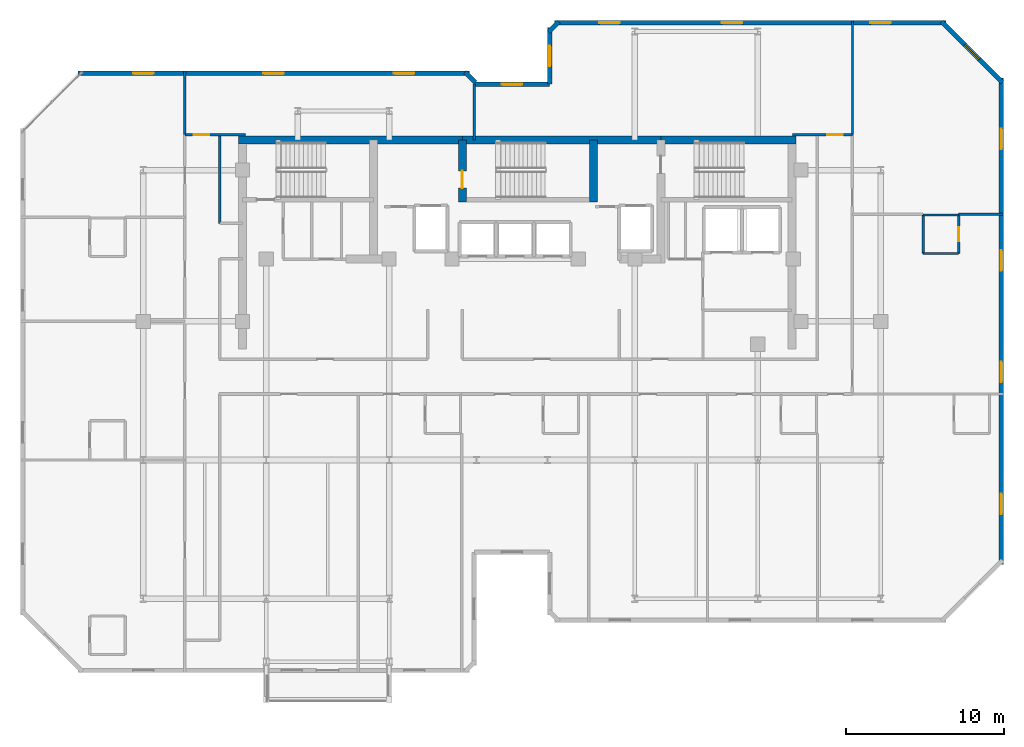
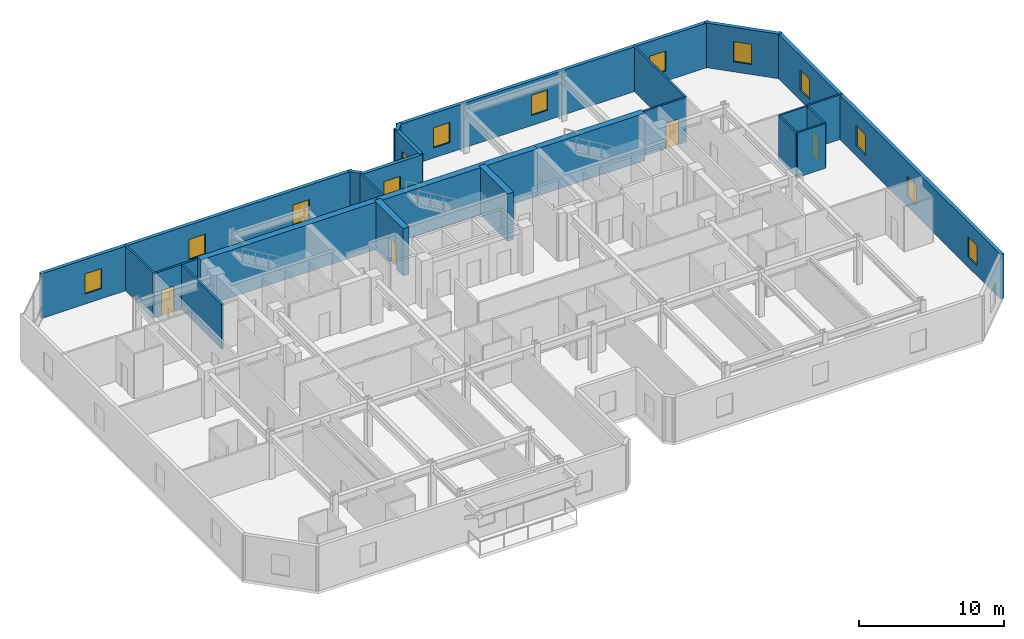
# One storey, part 7 of 10: 24 walls, 13 windows, 4 doors, 17 openings.
"""IFC4 building model written with IfcOpenShell, lengths in metres."""

import ifcopenshell
import ifcopenshell.guid

model = None  # the IFC model being written
_history = None  # IfcOwnerHistory: only IFC2X3 demands one
_inside = {}  # id of a spatial element -> (the spatial element, [elements in it])
_under = {}  # id of a project, library or spatial element -> (it, [spatial elements below it])
_declared = {}  # id of a project -> (the project, [libraries it declares])
_typed = {}  # id of a type object -> (the type object, [elements of that type])
_made_of = {}  # id of a material, layer set ... -> (it, [elements and type objects made of it])


def new_model(schema):
    """Start an empty IFC model of exactly this schema.

    Asked for "IFC4X3", IfcOpenShell would pick the latest addendum, in which some entities
    have other attributes; the version numbers below select the first issue.
    IFC2X3 requires an IfcOwnerHistory on every rooted entity: one is made here for all.
    """
    global model, _history
    if schema == "IFC4X3":
        model = ifcopenshell.file(schema_version=(4, 3, 0, 0))
    else:
        model = ifcopenshell.file(schema=schema)
    _inside.clear()
    _under.clear()
    _declared.clear()
    _typed.clear()
    _made_of.clear()
    _history = None
    if model.schema == "IFC2X3":
        org = make("IfcOrganization", Name="unknown")
        user = make(
            "IfcPersonAndOrganization",
            ThePerson=make("IfcPerson", FamilyName="unknown"),
            TheOrganization=org,
        )
        app = make(
            "IfcApplication",
            ApplicationDeveloper=org,
            Version="unknown",
            ApplicationFullName="unknown",
            ApplicationIdentifier="unknown",
        )
        _history = make(
            "IfcOwnerHistory",
            OwningUser=user,
            OwningApplication=app,
            ChangeAction="ADDED",
            CreationDate=0,
        )
    return model


def make(cls, **values):
    """One entity of the class cls with the attributes given. An attribute that is None is left unset."""
    return model.create_entity(
        cls, **{name: value for name, value in values.items() if value is not None}
    )


def rooted(cls, **values):
    """An entity with a GlobalId (a new one), such as an element, a storey or a relation."""
    return make(cls, GlobalId=ifcopenshell.guid.new(), OwnerHistory=_history, **values)


def si_unit(unit_type, name, prefix=None):
    """IfcSIUnit, for example si_unit("LENGTHUNIT", "METRE", prefix="MILLI")."""
    return make("IfcSIUnit", UnitType=unit_type, Prefix=prefix, Name=name)


def assignment(units):
    """IfcUnitAssignment: the units of a project."""
    return None if units is None else make("IfcUnitAssignment", Units=units)


def point(xyz):
    """IfcCartesianPoint."""
    return None if xyz is None else make("IfcCartesianPoint", Coordinates=xyz)


def direction(xyz):
    """IfcDirection."""
    return None if xyz is None else make("IfcDirection", DirectionRatios=xyz)


def frame(location, z_axis=None, x_axis=None):
    """IfcAxis2Placement3D, a coordinate frame: its origin and axes. An axis left out is left unset."""
    return make(
        "IfcAxis2Placement3D",
        Location=point(location),
        Axis=direction(z_axis),
        RefDirection=direction(x_axis),
    )


def frame_2d(location, x_axis=None):
    """IfcAxis2Placement2D, a coordinate frame in the plane: its origin and x axis."""
    return make(
        "IfcAxis2Placement2D", Location=point(location), RefDirection=direction(x_axis)
    )


def origin():
    """The frame at (0, 0, 0) with its axes left unset."""
    return frame((0.0, 0.0, 0.0))


def place(relative_to, where):
    """IfcLocalPlacement: puts the frame where relative to a parent placement (None: the world)."""
    return make(
        "IfcLocalPlacement", PlacementRelTo=relative_to, RelativePlacement=where
    )


def context(
    kind, dimensions, precision=None, world=None, true_north=None, identifier=None
):
    """IfcGeometricRepresentationContext, for example the 3D "Model" context."""
    return make(
        "IfcGeometricRepresentationContext",
        ContextIdentifier=identifier,
        ContextType=kind,
        CoordinateSpaceDimension=dimensions,
        Precision=precision,
        WorldCoordinateSystem=world,
        TrueNorth=true_north,
    )


def subcontext(parent, identifier, kind, view, scale=None):
    """IfcGeometricRepresentationSubContext, for example "Body" below "Model"."""
    return make(
        "IfcGeometricRepresentationSubContext",
        ContextIdentifier=identifier,
        ContextType=kind,
        ParentContext=parent,
        TargetScale=scale,
        TargetView=view,
    )


def project(units=None, contexts=None):
    """IfcProject with its units and contexts."""
    return rooted(
        "IfcProject",
        Name="project",
        RepresentationContexts=contexts,
        UnitsInContext=assignment(units),
    )


def spatial(cls, under=None, at=None, **own):
    """A site, building, storey or space (cls), placed at a placement, below another one or the project."""
    s = rooted(cls, ObjectPlacement=at, **own)
    if under is not None:
        _under.setdefault(under.id(), (under, []))[1].append(s)
    return s


def profile(cls, at=None, kind="AREA", **sizes):
    """A parametric profile (cls). Its sizes go by their IFC names, for example OverallWidth=200.0."""
    return make(cls, ProfileType=kind, Position=at, **sizes)


def rectangle(**sizes):
    """IfcRectangleProfileDef."""
    return profile("IfcRectangleProfileDef", **sizes)


def extrude(swept, where, along, depth):
    """IfcExtrudedAreaSolid: the profile swept, set in the frame where, extruded along a direction by depth."""
    return make(
        "IfcExtrudedAreaSolid",
        SweptArea=swept,
        Position=where,
        ExtrudedDirection=direction(along),
        Depth=depth,
    )


def shape(context_of_items, identifier, shape_type, items):
    """IfcShapeRepresentation: the items that make up one representation, for example the "Body"."""
    return make(
        "IfcShapeRepresentation",
        ContextOfItems=context_of_items,
        RepresentationIdentifier=identifier,
        RepresentationType=shape_type,
        Items=items,
    )


def material(Name=None, Category=None):
    """IfcMaterial."""
    return make("IfcMaterial", Name=Name, Category=Category)


def layer(
    of_material, thickness, ventilated=None, Name=None, Category=None, Priority=None
):
    """IfcMaterialLayer: one layer of a wall or slab, of a material (None: an air gap)."""
    return make(
        "IfcMaterialLayer",
        Material=of_material,
        LayerThickness=thickness,
        IsVentilated=ventilated,
        Name=Name,
        Category=Category,
        Priority=Priority,
    )


def layer_set(layers, Name=None):
    """IfcMaterialLayerSet."""
    return make("IfcMaterialLayerSet", MaterialLayers=layers, LayerSetName=Name)


def made_of(thing, what):
    """Note that an element or type object is made of a material, layer set ...; save() writes the relation."""
    if what is not None:
        _made_of.setdefault(what.id(), (what, []))[1].append(thing)
    return thing


def type_object(cls, material=None, **own):
    """A type object (cls), such as IfcWallType, which elements share."""
    return made_of(rooted(cls, **own), material)


def element(
    cls,
    number,
    at=None,
    inside=None,
    cuts=None,
    type_object=None,
    material=None,
    context=None,
    identifier="Body",
    shape_type=None,
    held_by="IfcProductDefinitionShape",
    body=None,
    shapes=None,
    **own,
):
    """One element of the class cls, such as IfcWall. Its Tag is "e" and its number.

    at: its placement. inside: the storey or other place that contains it. cuts: it is an
    opening in that element (IfcRelVoidsElement). A single representation is given by context,
    identifier, shape_type and body (its items); several are given by shapes. held_by: the class
    of the entity that holds the representations. save() writes the other relations.
    """
    e = rooted(cls, Tag="e%d" % number, ObjectPlacement=at, **own)
    if body is not None:
        shapes = [shape(context, identifier, shape_type, body)]
    if shapes is not None:
        e.Representation = make(held_by, Representations=shapes)
    if inside is not None:
        _inside.setdefault(inside.id(), (inside, []))[1].append(e)
    if cuts is not None:
        rooted(
            "IfcRelVoidsElement", RelatingBuildingElement=cuts, RelatedOpeningElement=e
        )
    if type_object is not None:
        _typed.setdefault(type_object.id(), (type_object, []))[1].append(e)
    return made_of(e, material)


def fill(opening, filler):
    """IfcRelFillsElement: the door or window that sits in an opening."""
    return rooted(
        "IfcRelFillsElement",
        RelatingOpeningElement=opening,
        RelatedBuildingElement=filler,
    )


def aggregate(whole, parts):
    """IfcRelAggregates: a whole, such as a stair, and the parts it consists of."""
    return rooted("IfcRelAggregates", RelatingObject=whole, RelatedObjects=parts)


def save(model, path):
    """Write the relations noted so far, then the file.

    IfcRelAggregates (storeys below a building ...), IfcRelContainedInSpatialStructure (elements
    in a storey), IfcRelDefinesByType, IfcRelAssociatesMaterial and IfcRelDeclares: one each for
    every whole, place, type object, material and project.
    """
    for whole, parts in _under.values():
        aggregate(whole, parts)
    for where, things in _inside.values():
        rooted(
            "IfcRelContainedInSpatialStructure",
            RelatedElements=things,
            RelatingStructure=where,
        )
    for kind, things in _typed.values():
        rooted("IfcRelDefinesByType", RelatedObjects=things, RelatingType=kind)
    for what, things in _made_of.values():
        rooted("IfcRelAssociatesMaterial", RelatedObjects=things, RelatingMaterial=what)
    for by, libraries in _declared.values():
        rooted("IfcRelDeclares", RelatingContext=by, RelatedDefinitions=libraries)
    model.write(path)


model = new_model("IFC4")

# Units and contexts
model_context = context("Model", 3, precision=1e-05, world=origin(), true_north=direction((0.0, 1.0)))
body_context = subcontext(model_context, "Body", "Model", "MODEL_VIEW")
ifc_project = project(units=[si_unit("LENGTHUNIT", "METRE"), si_unit("AREAUNIT", "SQUARE_METRE"), si_unit("VOLUMEUNIT", "CUBIC_METRE"), si_unit("PLANEANGLEUNIT", "RADIAN"), si_unit("MASSUNIT", "GRAM", prefix="KILO")], contexts=[model_context])

# Site, building, storey
site_placement = place(None, origin())
site = spatial("IfcSite", under=ifc_project, at=site_placement, CompositionType="ELEMENT")
building_placement = place(site_placement, origin())
building = spatial("IfcBuilding", under=site, at=building_placement, Name="Kestravale Grand Hotel", CompositionType="ELEMENT")
storey_placement = place(building_placement, frame((0.0, 0.0, 273.39990234375)))
storey = spatial("IfcBuildingStorey", under=building, at=storey_placement, Name="L68", CompositionType="ELEMENT", Elevation=273.39990234375)

# Walls
ifc_material_1 = material(Name="Concrete f'c 50 MPa", Category="concrete")
ifc_layer_1 = layer(ifc_material_1, 0.5)
ifc_layer_set_1 = layer_set([ifc_layer_1], Name="EW-CORE-500")
wall_type_1 = type_object("IfcWallType", Name="EW-CORE-500", PredefinedType="SHEAR", material=ifc_layer_set_1)
wall_1_placement = place(storey_placement, frame((21.64990234375, 40.320068359375, 0.0), z_axis=(0.0, 0.0, 1.0), x_axis=(1.0, 0.0, 0.0)))
element("IfcWall", 1, at=wall_1_placement, inside=storey, type_object=wall_type_1, Name="L68 core shear wall N1", PredefinedType="SHEAR", context=body_context, shape_type="SweptSolid", body=[
    extrude(rectangle(XDim=14.2001953125, YDim=0.5, at=frame_2d((7.10009765625, 0.0))), origin(), (0.0, 0.0, 1.0), 4.0),
])
wall_2_placement = place(storey_placement, frame((35.85009765625, 40.320068359375, 0.0), z_axis=(0.0, 0.0, 1.0), x_axis=(1.0, 0.0, 0.0)))
element("IfcWall", 2, at=wall_2_placement, inside=storey, type_object=wall_type_1, Name="L68 core shear wall N2", PredefinedType="SHEAR", context=body_context, shape_type="SweptSolid", body=[
    extrude(rectangle(XDim=12.599853515625, YDim=0.5, at=frame_2d((6.2998046875, 0.0))), origin(), (0.0, 0.0, 1.0), 4.0),
])
wall_3_placement = place(storey_placement, frame((48.449951171875, 40.320068359375, 0.0), z_axis=(0.0, 0.0, 1.0), x_axis=(1.0, 0.0, 0.0)))
element("IfcWall", 3, at=wall_3_placement, inside=storey, type_object=wall_type_1, Name="L68 core shear wall N3", PredefinedType="SHEAR", context=body_context, shape_type="SweptSolid", body=[
    extrude(rectangle(XDim=8.570068359375, YDim=0.5, at=frame_2d((4.28515625, 0.0))), origin(), (0.0, 0.0, 1.0), 4.0),
])

# Wall, opening, door
wall_4_placement = place(storey_placement, frame((35.85009765625, 36.3701171875, 0.0), z_axis=(0.0, 0.0, 1.0), x_axis=(0.0, 1.0, 0.0)))
wall_4 = element("IfcWall", 4, at=wall_4_placement, inside=storey, type_object=wall_type_1, Name="L68 core shear wall X2", PredefinedType="SHEAR", context=body_context, shape_type="SweptSolid", body=[
    extrude(rectangle(XDim=3.949951171875, YDim=0.5, at=frame_2d((1.97509765625, 0.0))), origin(), (0.0, 0.0, 1.0), 4.0),
])
opening_1_placement = place(wall_4_placement, frame((0.8798828125, 0.0, 0.0)))
opening_1 = element("IfcOpeningElement", 5, at=opening_1_placement, cuts=wall_4, Name="Opening D-ST-1100", PredefinedType="OPENING", context=body_context, shape_type="SweptSolid", body=[
    extrude(rectangle(XDim=1.10009765625, YDim=2.14990234375, at=frame_2d((0.550048828125, 1.074951171875))), frame((0.0, 0.260009765625, 0.0), z_axis=(0.0, -1.0, 0.0), x_axis=(1.0, 0.0, 0.0)), (0.0, 0.0, 1.0), 0.52001953125),
])
ifc_material_2 = material(Name="Galvanised 90-minute fire-rated steel stair door", Category="steel")
door_type_1 = type_object("IfcDoorType", Name="D-ST-1100", OperationType="NOTDEFINED", PredefinedType="DOOR", material=ifc_material_2)
door_1_placement = place(opening_1_placement, origin())
door_1 = element("IfcDoor", 6, at=door_1_placement, inside=storey, type_object=door_type_1, Name="L68 Stair ST-2 FSAE fire door", OperationType="SINGLE_SWING_RIGHT", OverallHeight=2.14990234375, OverallWidth=1.10009765625, PredefinedType="DOOR", context=body_context, shape_type="SweptSolid", body=[
    extrude(rectangle(XDim=1.10009765625, YDim=2.14990234375, at=frame_2d((0.550048828125, 1.074951171875))), frame((0.0, 0.02490234375, 0.0), z_axis=(0.0, -1.0, 0.0), x_axis=(1.0, 0.0, 0.0)), (0.0, 0.0, 1.0), 0.050048828125),
])
fill(opening_1, door_1)

# Wall
wall_5_placement = place(storey_placement, frame((44.179931640625, 36.3701171875, 0.0), z_axis=(0.0, 0.0, 1.0), x_axis=(0.0, 1.0, 0.0)))
element("IfcWall", 7, at=wall_5_placement, inside=storey, type_object=wall_type_1, Name="L68 core shear wall X3", PredefinedType="SHEAR", context=body_context, shape_type="SweptSolid", body=[
    extrude(rectangle(XDim=3.949951171875, YDim=0.5, at=frame_2d((1.97509765625, 0.0))), origin(), (0.0, 0.0, 1.0), 4.0),
])

# Wall, openings, windows
ifc_material_3 = material(Name="Precast concrete f'c 45 MPa", Category="concrete")
ifc_layer_2 = layer(ifc_material_3, 0.280029296875)
ifc_layer_set_2 = layer_set([ifc_layer_2], Name="EW-PREC-280")
wall_type_2 = type_object("IfcWallType", Name="EW-PREC-280", PredefinedType="SOLIDWALL", material=ifc_layer_set_2)
wall_6_placement = place(storey_placement, frame((70.06005859375, 13.360107421875, 0.0), z_axis=(0.0, 0.0, 1.0), x_axis=(0.0, 1.0, 0.0)))
wall_6 = element("IfcWall", 8, at=wall_6_placement, inside=storey, type_object=wall_type_2, Name="L68 fluted precast facade wall 9", PredefinedType="SOLIDWALL", context=body_context, shape_type="SweptSolid", body=[
    extrude(rectangle(XDim=30.8798828125, YDim=0.280029296875, at=frame_2d((15.43994140625, 0.0))), origin(), (0.0, 0.0, 1.0), 3.760009765625),
])
opening_2_placement = place(wall_6_placement, frame((3.2099609375, 0.0, 0.85009765625)))
opening_2 = element("IfcOpeningElement", 9, at=opening_2_placement, cuts=wall_6, Name="Opening W-GUEST-1300", PredefinedType="OPENING", context=body_context, shape_type="SweptSolid", body=[
    extrude(rectangle(XDim=1.300048828125, YDim=1.699951171875, at=frame_2d((0.64990234375, 0.85009765625))), frame((0.0, 0.14990234375, 0.0), z_axis=(0.0, -1.0, 0.0), x_axis=(1.0, 0.0, 0.0)), (0.0, 0.0, 1.0), 0.300048828125),
])
opening_3_placement = place(wall_6_placement, frame((11.580078125, 0.0, 0.85009765625)))
opening_3 = element("IfcOpeningElement", 10, at=opening_3_placement, cuts=wall_6, Name="Opening W-GUEST-1300", PredefinedType="OPENING", context=body_context, shape_type="SweptSolid", body=[
    extrude(rectangle(XDim=1.300048828125, YDim=1.699951171875, at=frame_2d((0.64990234375, 0.85009765625))), frame((0.0, 0.14990234375, 0.0), z_axis=(0.0, -1.0, 0.0), x_axis=(1.0, 0.0, 0.0)), (0.0, 0.0, 1.0), 0.300048828125),
])
opening_4_placement = place(wall_6_placement, frame((18.64990234375, 0.0, 0.85009765625)))
opening_4 = element("IfcOpeningElement", 11, at=opening_4_placement, cuts=wall_6, Name="Opening W-GUEST-1300", PredefinedType="OPENING", context=body_context, shape_type="SweptSolid", body=[
    extrude(rectangle(XDim=1.300048828125, YDim=1.699951171875, at=frame_2d((0.64990234375, 0.85009765625))), frame((0.0, 0.14990234375, 0.0), z_axis=(0.0, -1.0, 0.0), x_axis=(1.0, 0.0, 0.0)), (0.0, 0.0, 1.0), 0.300048828125),
])
opening_5_placement = place(wall_6_placement, frame((26.3701171875, 0.0, 0.85009765625)))
opening_5 = element("IfcOpeningElement", 12, at=opening_5_placement, cuts=wall_6, Name="Opening W-GUEST-1300", PredefinedType="OPENING", context=body_context, shape_type="SweptSolid", body=[
    extrude(rectangle(XDim=1.300048828125, YDim=1.699951171875, at=frame_2d((0.64990234375, 0.85009765625))), frame((0.0, 0.14990234375, 0.0), z_axis=(0.0, -1.0, 0.0), x_axis=(1.0, 0.0, 0.0)), (0.0, 0.0, 1.0), 0.300048828125),
])
ifc_material_4 = material(Name="Insulated low-E double glazing in aluminium frame", Category="aluminium")
window_type = type_object("IfcWindowType", Name="W-GUEST-1300", PartitioningType="SINGLE_PANEL", PredefinedType="WINDOW", material=ifc_material_4)
window_1_placement = place(opening_2_placement, origin())
window_1 = element("IfcWindow", 13, at=window_1_placement, inside=storey, type_object=window_type, Name="L68 exterior window 9.1", OverallHeight=1.699951171875, OverallWidth=1.300048828125, PartitioningType="SINGLE_PANEL", PredefinedType="WINDOW", context=body_context, shape_type="SweptSolid", body=[
    extrude(rectangle(XDim=1.300048828125, YDim=1.699951171875, at=frame_2d((0.64990234375, 0.85009765625))), frame((0.0, 0.030029296875, 0.0), z_axis=(0.0, -1.0, 0.0), x_axis=(1.0, 0.0, 0.0)), (0.0, 0.0, 1.0), 0.06005859375),
])
fill(opening_2, window_1)
window_2_placement = place(opening_3_placement, origin())
window_2 = element("IfcWindow", 14, at=window_2_placement, inside=storey, type_object=window_type, Name="L68 exterior window 9.2", OverallHeight=1.699951171875, OverallWidth=1.300048828125, PartitioningType="SINGLE_PANEL", PredefinedType="WINDOW", context=body_context, shape_type="SweptSolid", body=[
    extrude(rectangle(XDim=1.300048828125, YDim=1.699951171875, at=frame_2d((0.64990234375, 0.85009765625))), frame((0.0, 0.030029296875, 0.0), z_axis=(0.0, -1.0, 0.0), x_axis=(1.0, 0.0, 0.0)), (0.0, 0.0, 1.0), 0.06005859375),
])
fill(opening_3, window_2)
window_3_placement = place(opening_4_placement, origin())
window_3 = element("IfcWindow", 15, at=window_3_placement, inside=storey, type_object=window_type, Name="L68 exterior window 9.3", OverallHeight=1.699951171875, OverallWidth=1.300048828125, PartitioningType="SINGLE_PANEL", PredefinedType="WINDOW", context=body_context, shape_type="SweptSolid", body=[
    extrude(rectangle(XDim=1.300048828125, YDim=1.699951171875, at=frame_2d((0.64990234375, 0.85009765625))), frame((0.0, 0.030029296875, 0.0), z_axis=(0.0, -1.0, 0.0), x_axis=(1.0, 0.0, 0.0)), (0.0, 0.0, 1.0), 0.06005859375),
])
fill(opening_4, window_3)
window_4_placement = place(opening_5_placement, origin())
window_4 = element("IfcWindow", 16, at=window_4_placement, inside=storey, type_object=window_type, Name="L68 exterior window 9.4", OverallHeight=1.699951171875, OverallWidth=1.300048828125, PartitioningType="SINGLE_PANEL", PredefinedType="WINDOW", context=body_context, shape_type="SweptSolid", body=[
    extrude(rectangle(XDim=1.300048828125, YDim=1.699951171875, at=frame_2d((0.64990234375, 0.85009765625))), frame((0.0, 0.030029296875, 0.0), z_axis=(0.0, -1.0, 0.0), x_axis=(1.0, 0.0, 0.0)), (0.0, 0.0, 1.0), 0.06005859375),
])
fill(opening_5, window_4)

# Wall, opening, window
wall_7_placement = place(storey_placement, frame((70.12939453125, 43.97265625, 0.0), z_axis=(0.0, 0.0, 1.0), x_axis=(-0.707106781187, 0.707106781187, 0.0)))
wall_7 = element("IfcWall", 17, at=wall_7_placement, inside=storey, type_object=wall_type_2, Name="L68 fluted precast facade wall 10", PredefinedType="SOLIDWALL", context=body_context, shape_type="SweptSolid", body=[
    extrude(rectangle(XDim=5.4541015625, YDim=0.280029296875, at=frame_2d((2.72705078125, 0.0))), origin(), (0.0, 0.0, 1.0), 3.760009765625),
])
opening_6_placement = place(wall_7_placement, frame((2.076904296875, 0.0, 0.85009765625)))
opening_6 = element("IfcOpeningElement", 18, at=opening_6_placement, cuts=wall_7, Name="Opening W-GUEST-1300", PredefinedType="OPENING", context=body_context, shape_type="SweptSolid", body=[
    extrude(rectangle(XDim=1.300048828125, YDim=1.699951171875, at=frame_2d((0.64990234375, 0.85009765625))), frame((0.0, 0.14990234375, 0.0), z_axis=(0.0, -1.0, 0.0), x_axis=(1.0, 0.0, 0.0)), (0.0, 0.0, 1.0), 0.300048828125),
])
window_5_placement = place(opening_6_placement, origin())
window_5 = element("IfcWindow", 19, at=window_5_placement, inside=storey, type_object=window_type, Name="L68 exterior window 10.1", OverallHeight=1.699951171875, OverallWidth=1.300048828125, PartitioningType="SINGLE_PANEL", PredefinedType="WINDOW", context=body_context, shape_type="SweptSolid", body=[
    extrude(rectangle(XDim=1.300048828125, YDim=1.699951171875, at=frame_2d((0.64990234375, 0.85009765625))), frame((0.0, 0.030029296875, 0.0), z_axis=(0.0, -1.0, 0.0), x_axis=(1.0, 0.0, 0.0)), (0.0, 0.0, 1.0), 0.06005859375),
])
fill(opening_6, window_5)

# Wall, openings, windows
wall_8_placement = place(storey_placement, frame((66.5400390625, 47.760009765625, 0.0), z_axis=(0.0, 0.0, 1.0), x_axis=(-1.0, 0.0, 0.0)))
wall_8 = element("IfcWall", 20, at=wall_8_placement, inside=storey, type_object=wall_type_2, Name="L68 fluted precast facade wall 11", PredefinedType="SOLIDWALL", context=body_context, shape_type="SweptSolid", body=[
    extrude(rectangle(XDim=24.830078125, YDim=0.280029296875, at=frame_2d((12.4150390625, 0.0))), origin(), (0.0, 0.0, 1.0), 3.760009765625),
])
opening_7_placement = place(wall_8_placement, frame((3.48828125, 0.0, 0.85009765625)))
opening_7 = element("IfcOpeningElement", 21, at=opening_7_placement, cuts=wall_8, Name="Opening W-GUEST-1300", PredefinedType="OPENING", context=body_context, shape_type="SweptSolid", body=[
    extrude(rectangle(XDim=1.300048828125, YDim=1.699951171875, at=frame_2d((0.64990234375, 0.85009765625))), frame((0.0, 0.14990234375, 0.0), z_axis=(0.0, -1.0, 0.0), x_axis=(1.0, 0.0, 0.0)), (0.0, 0.0, 1.0), 0.300048828125),
])
opening_8_placement = place(wall_8_placement, frame((12.9150390625, 0.0, 0.85009765625)))
opening_8 = element("IfcOpeningElement", 22, at=opening_8_placement, cuts=wall_8, Name="Opening W-GUEST-1300", PredefinedType="OPENING", context=body_context, shape_type="SweptSolid", body=[
    extrude(rectangle(XDim=1.300048828125, YDim=1.699951171875, at=frame_2d((0.64990234375, 0.85009765625))), frame((0.0, 0.14990234375, 0.0), z_axis=(0.0, -1.0, 0.0), x_axis=(1.0, 0.0, 0.0)), (0.0, 0.0, 1.0), 0.300048828125),
])
opening_9_placement = place(wall_8_placement, frame((20.691650390625, 0.0, 0.85009765625)))
opening_9 = element("IfcOpeningElement", 23, at=opening_9_placement, cuts=wall_8, Name="Opening W-GUEST-1300", PredefinedType="OPENING", context=body_context, shape_type="SweptSolid", body=[
    extrude(rectangle(XDim=1.300048828125, YDim=1.699951171875, at=frame_2d((0.64990234375, 0.85009765625))), frame((0.0, 0.14990234375, 0.0), z_axis=(0.0, -1.0, 0.0), x_axis=(1.0, 0.0, 0.0)), (0.0, 0.0, 1.0), 0.300048828125),
])
window_6_placement = place(opening_7_placement, origin())
window_6 = element("IfcWindow", 24, at=window_6_placement, inside=storey, type_object=window_type, Name="L68 exterior window 11.1", OverallHeight=1.699951171875, OverallWidth=1.300048828125, PartitioningType="SINGLE_PANEL", PredefinedType="WINDOW", context=body_context, shape_type="SweptSolid", body=[
    extrude(rectangle(XDim=1.300048828125, YDim=1.699951171875, at=frame_2d((0.64990234375, 0.85009765625))), frame((0.0, 0.030029296875, 0.0), z_axis=(0.0, -1.0, 0.0), x_axis=(1.0, 0.0, 0.0)), (0.0, 0.0, 1.0), 0.06005859375),
])
fill(opening_7, window_6)
window_7_placement = place(opening_8_placement, origin())
window_7 = element("IfcWindow", 25, at=window_7_placement, inside=storey, type_object=window_type, Name="L68 exterior window 11.2", OverallHeight=1.699951171875, OverallWidth=1.300048828125, PartitioningType="SINGLE_PANEL", PredefinedType="WINDOW", context=body_context, shape_type="SweptSolid", body=[
    extrude(rectangle(XDim=1.300048828125, YDim=1.699951171875, at=frame_2d((0.64990234375, 0.85009765625))), frame((0.0, 0.030029296875, 0.0), z_axis=(0.0, -1.0, 0.0), x_axis=(1.0, 0.0, 0.0)), (0.0, 0.0, 1.0), 0.06005859375),
])
fill(opening_8, window_7)
window_8_placement = place(opening_9_placement, origin())
window_8 = element("IfcWindow", 26, at=window_8_placement, inside=storey, type_object=window_type, Name="L68 exterior window 11.3", OverallHeight=1.699951171875, OverallWidth=1.300048828125, PartitioningType="SINGLE_PANEL", PredefinedType="WINDOW", context=body_context, shape_type="SweptSolid", body=[
    extrude(rectangle(XDim=1.300048828125, YDim=1.699951171875, at=frame_2d((0.64990234375, 0.85009765625))), frame((0.0, 0.030029296875, 0.0), z_axis=(0.0, -1.0, 0.0), x_axis=(1.0, 0.0, 0.0)), (0.0, 0.0, 1.0), 0.06005859375),
])
fill(opening_9, window_8)

# Wall
wall_9_placement = place(storey_placement, frame((41.977294921875, 47.829345703125, 0.0), z_axis=(0.0, 0.0, 1.0), x_axis=(-0.706975312048, -0.707238225886, 0.0)))
element("IfcWall", 27, at=wall_9_placement, inside=storey, type_object=wall_type_2, Name="L68 fluted precast facade wall 12", PredefinedType="SOLIDWALL", context=body_context, shape_type="SweptSolid", body=[
    extrude(rectangle(XDim=0.9287109375, YDim=0.280029296875, at=frame_2d((0.46435546875, 0.0))), origin(), (0.0, 0.0, 1.0), 3.760009765625),
])

# Wall, opening, window
wall_10_placement = place(storey_placement, frame((41.389892578125, 47.43994140625, 0.0), z_axis=(0.0, 0.0, 1.0), x_axis=(0.0, -1.0, 0.0)))
wall_10 = element("IfcWall", 28, at=wall_10_placement, inside=storey, type_object=wall_type_2, Name="L68 fluted precast facade wall 13", PredefinedType="SOLIDWALL", context=body_context, shape_type="SweptSolid", body=[
    extrude(rectangle(XDim=3.579833984375, YDim=0.280029296875, at=frame_2d((1.7900390625, 0.0))), origin(), (0.0, 0.0, 1.0), 3.760009765625),
])
opening_10_placement = place(wall_10_placement, frame((1.139892578125, 0.0, 0.85009765625)))
opening_10 = element("IfcOpeningElement", 29, at=opening_10_placement, cuts=wall_10, Name="Opening W-GUEST-1300", PredefinedType="OPENING", context=body_context, shape_type="SweptSolid", body=[
    extrude(rectangle(XDim=1.300048828125, YDim=1.699951171875, at=frame_2d((0.64990234375, 0.85009765625))), frame((0.0, 0.14990234375, 0.0), z_axis=(0.0, -1.0, 0.0), x_axis=(1.0, 0.0, 0.0)), (0.0, 0.0, 1.0), 0.300048828125),
])
window_9_placement = place(opening_10_placement, origin())
window_9 = element("IfcWindow", 30, at=window_9_placement, inside=storey, type_object=window_type, Name="L68 exterior window 13.1", OverallHeight=1.699951171875, OverallWidth=1.300048828125, PartitioningType="SINGLE_PANEL", PredefinedType="WINDOW", context=body_context, shape_type="SweptSolid", body=[
    extrude(rectangle(XDim=1.300048828125, YDim=1.699951171875, at=frame_2d((0.64990234375, 0.85009765625))), frame((0.0, 0.030029296875, 0.0), z_axis=(0.0, -1.0, 0.0), x_axis=(1.0, 0.0, 0.0)), (0.0, 0.0, 1.0), 0.06005859375),
])
fill(opening_10, window_9)

wall_11_placement = place(storey_placement, frame((41.389892578125, 43.860107421875, 0.0), z_axis=(0.0, 0.0, 1.0), x_axis=(-1.0, 0.0, 0.0)))
wall_11 = element("IfcWall", 31, at=wall_11_placement, inside=storey, type_object=wall_type_2, Name="L68 fluted precast facade wall 14", PredefinedType="SOLIDWALL", context=body_context, shape_type="SweptSolid", body=[
    extrude(rectangle(XDim=4.77978515625, YDim=0.280029296875, at=frame_2d((2.389892578125, 0.0))), origin(), (0.0, 0.0, 1.0), 3.760009765625),
])
opening_11_placement = place(wall_11_placement, frame((1.739990234375, 0.0, 0.85009765625)))
opening_11 = element("IfcOpeningElement", 32, at=opening_11_placement, cuts=wall_11, Name="Opening W-GUEST-1300", PredefinedType="OPENING", context=body_context, shape_type="SweptSolid", body=[
    extrude(rectangle(XDim=1.300048828125, YDim=1.699951171875, at=frame_2d((0.64990234375, 0.85009765625))), frame((0.0, 0.14990234375, 0.0), z_axis=(0.0, -1.0, 0.0), x_axis=(1.0, 0.0, 0.0)), (0.0, 0.0, 1.0), 0.300048828125),
])
window_10_placement = place(opening_11_placement, origin())
window_10 = element("IfcWindow", 33, at=window_10_placement, inside=storey, type_object=window_type, Name="L68 exterior window 14.1", OverallHeight=1.699951171875, OverallWidth=1.300048828125, PartitioningType="SINGLE_PANEL", PredefinedType="WINDOW", context=body_context, shape_type="SweptSolid", body=[
    extrude(rectangle(XDim=1.300048828125, YDim=1.699951171875, at=frame_2d((0.64990234375, 0.85009765625))), frame((0.0, 0.030029296875, 0.0), z_axis=(0.0, -1.0, 0.0), x_axis=(1.0, 0.0, 0.0)), (0.0, 0.0, 1.0), 0.06005859375),
])
fill(opening_11, window_10)

# Wall
wall_12_placement = place(storey_placement, frame((36.67919921875, 43.97265625, 0.0), z_axis=(0.0, 0.0, 1.0), x_axis=(-0.706975312048, 0.707238225886, 0.0)))
element("IfcWall", 34, at=wall_12_placement, inside=storey, type_object=wall_type_2, Name="L68 fluted precast facade wall 16", PredefinedType="SOLIDWALL", context=body_context, shape_type="SweptSolid", body=[
    extrude(rectangle(XDim=0.9287109375, YDim=0.280029296875, at=frame_2d((0.46435546875, 0.0))), origin(), (0.0, 0.0, 1.0), 3.760009765625),
])

# Wall, openings, windows
wall_13_placement = place(storey_placement, frame((36.2900390625, 44.56005859375, 0.0), z_axis=(0.0, 0.0, 1.0), x_axis=(-1.0, 0.0, 0.0)))
wall_13 = element("IfcWall", 35, at=wall_13_placement, inside=storey, type_object=wall_type_2, Name="L68 fluted precast facade wall 17", PredefinedType="SOLIDWALL", context=body_context, shape_type="SweptSolid", body=[
    extrude(rectangle(XDim=24.830078125, YDim=0.280029296875, at=frame_2d((12.4150390625, 0.0))), origin(), (0.0, 0.0, 1.0), 3.760009765625),
])
opening_12_placement = place(wall_13_placement, frame((3.48828125, 0.0, 0.85009765625)))
opening_12 = element("IfcOpeningElement", 36, at=opening_12_placement, cuts=wall_13, Name="Opening W-GUEST-1300", PredefinedType="OPENING", context=body_context, shape_type="SweptSolid", body=[
    extrude(rectangle(XDim=1.300048828125, YDim=1.699951171875, at=frame_2d((0.64990234375, 0.85009765625))), frame((0.0, 0.14990234375, 0.0), z_axis=(0.0, -1.0, 0.0), x_axis=(1.0, 0.0, 0.0)), (0.0, 0.0, 1.0), 0.300048828125),
])
opening_13_placement = place(wall_13_placement, frame((11.764892578125, 0.0, 0.85009765625)))
opening_13 = element("IfcOpeningElement", 37, at=opening_13_placement, cuts=wall_13, Name="Opening W-GUEST-1300", PredefinedType="OPENING", context=body_context, shape_type="SweptSolid", body=[
    extrude(rectangle(XDim=1.300048828125, YDim=1.699951171875, at=frame_2d((0.64990234375, 0.85009765625))), frame((0.0, 0.14990234375, 0.0), z_axis=(0.0, -1.0, 0.0), x_axis=(1.0, 0.0, 0.0)), (0.0, 0.0, 1.0), 0.300048828125),
])
opening_14_placement = place(wall_13_placement, frame((20.041748046875, 0.0, 0.85009765625)))
opening_14 = element("IfcOpeningElement", 38, at=opening_14_placement, cuts=wall_13, Name="Opening W-GUEST-1300", PredefinedType="OPENING", context=body_context, shape_type="SweptSolid", body=[
    extrude(rectangle(XDim=1.300048828125, YDim=1.699951171875, at=frame_2d((0.64990234375, 0.85009765625))), frame((0.0, 0.14990234375, 0.0), z_axis=(0.0, -1.0, 0.0), x_axis=(1.0, 0.0, 0.0)), (0.0, 0.0, 1.0), 0.300048828125),
])
window_11_placement = place(opening_12_placement, origin())
window_11 = element("IfcWindow", 39, at=window_11_placement, inside=storey, type_object=window_type, Name="L68 exterior window 17.1", OverallHeight=1.699951171875, OverallWidth=1.300048828125, PartitioningType="SINGLE_PANEL", PredefinedType="WINDOW", context=body_context, shape_type="SweptSolid", body=[
    extrude(rectangle(XDim=1.300048828125, YDim=1.699951171875, at=frame_2d((0.64990234375, 0.85009765625))), frame((0.0, 0.030029296875, 0.0), z_axis=(0.0, -1.0, 0.0), x_axis=(1.0, 0.0, 0.0)), (0.0, 0.0, 1.0), 0.06005859375),
])
fill(opening_12, window_11)
window_12_placement = place(opening_13_placement, origin())
window_12 = element("IfcWindow", 40, at=window_12_placement, inside=storey, type_object=window_type, Name="L68 exterior window 17.2", OverallHeight=1.699951171875, OverallWidth=1.300048828125, PartitioningType="SINGLE_PANEL", PredefinedType="WINDOW", context=body_context, shape_type="SweptSolid", body=[
    extrude(rectangle(XDim=1.300048828125, YDim=1.699951171875, at=frame_2d((0.64990234375, 0.85009765625))), frame((0.0, 0.030029296875, 0.0), z_axis=(0.0, -1.0, 0.0), x_axis=(1.0, 0.0, 0.0)), (0.0, 0.0, 1.0), 0.06005859375),
])
fill(opening_13, window_12)
window_13_placement = place(opening_14_placement, origin())
window_13 = element("IfcWindow", 41, at=window_13_placement, inside=storey, type_object=window_type, Name="L68 exterior window 17.3", OverallHeight=1.699951171875, OverallWidth=1.300048828125, PartitioningType="SINGLE_PANEL", PredefinedType="WINDOW", context=body_context, shape_type="SweptSolid", body=[
    extrude(rectangle(XDim=1.300048828125, YDim=1.699951171875, at=frame_2d((0.64990234375, 0.85009765625))), frame((0.0, 0.030029296875, 0.0), z_axis=(0.0, -1.0, 0.0), x_axis=(1.0, 0.0, 0.0)), (0.0, 0.0, 1.0), 0.06005859375),
])
fill(opening_14, window_13)

# Walls
ifc_material_5 = material(Name="Acoustic fire-rated gypsum board partition", Category="other")
ifc_layer_3 = layer(ifc_material_5, 0.159912109375)
ifc_layer_set_3 = layer_set([ifc_layer_3], Name="IW-CORR-160")
wall_type_3 = type_object("IfcWallType", Name="IW-CORR-160", PredefinedType="PARTITIONING", material=ifc_layer_set_3)
wall_14_placement = place(storey_placement, frame((20.4599609375, 35.02001953125, 0.0), z_axis=(0.0, 0.0, 1.0), x_axis=(0.0, 1.0, 0.0)))
element("IfcWall", 42, at=wall_14_placement, inside=storey, type_object=wall_type_3, Name="W-L68-SW-EN", PredefinedType="PARTITIONING", context=body_context, shape_type="SweptSolid", body=[
    extrude(rectangle(XDim=5.6298828125, YDim=0.159912109375, at=frame_2d((2.81494140625, 0.0))), origin(), (0.0, 0.0, 1.0), 3.760009765625),
])
ifc_material_6 = material(Name="Moisture-resistant tile-backer plumbing chase wall", Category="other")
ifc_layer_4 = layer(ifc_material_6, 0.139892578125)
ifc_layer_set_4 = layer_set([ifc_layer_4], Name="IW-PLB-140")
wall_type_4 = type_object("IfcWallType", Name="IW-PLB-140", PredefinedType="PLUMBINGWALL", material=ifc_layer_set_4)
wall_15_placement = place(storey_placement, frame((65.10009765625, 33.110107421875, 0.0), z_axis=(0.0, 0.0, 1.0), x_axis=(0.0, 1.0, 0.0)))
element("IfcWall", 43, at=wall_15_placement, inside=storey, type_object=wall_type_4, Name="W-L68-U08-BW", PredefinedType="PLUMBINGWALL", context=body_context, shape_type="SweptSolid", body=[
    extrude(rectangle(XDim=2.449951171875, YDim=0.139892578125, at=frame_2d((1.22509765625, 0.0))), origin(), (0.0, 0.0, 1.0), 3.760009765625),
])

# Wall, opening, door
wall_16_placement = place(storey_placement, frame((67.35009765625, 33.110107421875, 0.0), z_axis=(0.0, 0.0, 1.0), x_axis=(0.0, 1.0, 0.0)))
wall_16 = element("IfcWall", 44, at=wall_16_placement, inside=storey, type_object=wall_type_4, Name="W-L68-U08-BE", PredefinedType="PLUMBINGWALL", context=body_context, shape_type="SweptSolid", body=[
    extrude(rectangle(XDim=2.449951171875, YDim=0.139892578125, at=frame_2d((1.22509765625, 0.0))), origin(), (0.0, 0.0, 1.0), 3.760009765625),
])
opening_15_placement = place(wall_16_placement, frame((0.784912109375, 0.0, 0.0)))
opening_15 = element("IfcOpeningElement", 45, at=opening_15_placement, cuts=wall_16, Name="Opening D-BATH-880", PredefinedType="OPENING", context=body_context, shape_type="SweptSolid", body=[
    extrude(rectangle(XDim=0.8798828125, YDim=2.050048828125, at=frame_2d((0.43994140625, 1.02490234375))), frame((0.0, 0.079833984375, 0.0), z_axis=(0.0, -1.0, 0.0), x_axis=(1.0, 0.0, 0.0)), (0.0, 0.0, 1.0), 0.159912109375),
])
ifc_material_7 = material(Name="Moisture-sealed walnut en-suite bathroom door", Category="wood")
door_type_2 = type_object("IfcDoorType", Name="D-BATH-880", OperationType="NOTDEFINED", PredefinedType="DOOR", material=ifc_material_7)
door_2_placement = place(opening_15_placement, origin())
door_2 = element("IfcDoor", 46, at=door_2_placement, inside=storey, type_object=door_type_2, Name="D-L68-U08-BATH", OperationType="SINGLE_SWING_LEFT", OverallHeight=2.050048828125, OverallWidth=0.8798828125, PredefinedType="DOOR", context=body_context, shape_type="SweptSolid", body=[
    extrude(rectangle(XDim=0.8798828125, YDim=2.050048828125, at=frame_2d((0.43994140625, 1.02490234375))), frame((0.0, 0.02490234375, 0.0), z_axis=(0.0, -1.0, 0.0), x_axis=(1.0, 0.0, 0.0)), (0.0, 0.0, 1.0), 0.050048828125),
])
fill(opening_15, door_2)

# Walls
for number, where, z_axis, x_axis, name in (
    (47, (65.10009765625, 33.110107421875, 0.0), (0.0, 0.0, 1.0), (1.0, 0.0, 0.0), "W-L68-U08-BS"),
    (48, (65.10009765625, 35.56005859375, 0.0), (0.0, 0.0, 1.0), (1.0, 0.0, 0.0), "W-L68-U08-BN"),
):
    element("IfcWall", number, at=place(storey_placement, frame(where, z_axis=z_axis, x_axis=x_axis)), inside=storey, type_object=wall_type_4, Name=name, PredefinedType="PLUMBINGWALL", context=body_context, shape_type="SweptSolid", body=[
        extrude(rectangle(XDim=2.25, YDim=0.139892578125, at=frame_2d((1.125, 0.0))), origin(), (0.0, 0.0, 1.0), 3.760009765625),
    ])

# Wall, opening, door
ifc_material_8 = material(Name="Double-stud STC 52 acoustic demising partition", Category="other")
ifc_layer_5 = layer(ifc_material_8, 0.14990234375)
ifc_layer_set_5 = layer_set([ifc_layer_5], Name="IW-UNIT-150")
wall_type_5 = type_object("IfcWallType", Name="IW-UNIT-150", PredefinedType="PARTITIONING", material=ifc_layer_set_5)
wall_17_placement = place(storey_placement, frame((18.239990234375, 40.64990234375, 0.0), z_axis=(0.0, 0.0, 1.0), x_axis=(1.0, 0.0, 0.0)))
wall_17 = element("IfcWall", 49, at=wall_17_placement, inside=storey, type_object=wall_type_5, Name="W-L68-SW-N", PredefinedType="PARTITIONING", context=body_context, shape_type="SweptSolid", body=[
    extrude(rectangle(XDim=3.860107421875, YDim=0.14990234375, at=frame_2d((1.93017578125, 0.0))), origin(), (0.0, 0.0, 1.0), 3.760009765625),
])
opening_16_placement = place(wall_17_placement, frame((0.550048828125, 0.0, 0.0)))
opening_16 = element("IfcOpeningElement", 50, at=opening_16_placement, cuts=wall_17, Name="Opening D-GUEST-1000", PredefinedType="OPENING", context=body_context, shape_type="SweptSolid", body=[
    extrude(rectangle(XDim=1.0, YDim=2.14990234375, at=frame_2d((0.5, 1.074951171875))), frame((0.0, 0.0849609375, 0.0), z_axis=(0.0, -1.0, 0.0), x_axis=(1.0, 0.0, 0.0)), (0.0, 0.0, 1.0), 0.169921875),
])
ifc_material_9 = material(Name="Accessible walnut veneer hotel entrance fire door", Category="wood")
door_type_3 = type_object("IfcDoorType", Name="D-GUEST-1000", OperationType="NOTDEFINED", PredefinedType="DOOR", material=ifc_material_9)
door_3_placement = place(opening_16_placement, origin())
door_3 = element("IfcDoor", 51, at=door_3_placement, inside=storey, type_object=door_type_3, Name="L68 NW Gallery Door", OperationType="SINGLE_SWING_RIGHT", OverallHeight=2.14990234375, OverallWidth=1.0, PredefinedType="DOOR", context=body_context, shape_type="SweptSolid", body=[
    extrude(rectangle(XDim=1.0, YDim=2.14990234375, at=frame_2d((0.5, 1.074951171875))), frame((0.0, 0.02490234375, 0.0), z_axis=(0.0, -1.0, 0.0), x_axis=(1.0, 0.0, 0.0)), (0.0, 0.0, 1.0), 0.050048828125),
])
fill(opening_16, door_3)

wall_18_placement = place(storey_placement, frame((56.800048828125, 40.64990234375, 0.0), z_axis=(0.0, 0.0, 1.0), x_axis=(1.0, 0.0, 0.0)))
wall_18 = element("IfcWall", 52, at=wall_18_placement, inside=storey, type_object=wall_type_5, Name="W-L68-SE-N", PredefinedType="PARTITIONING", context=body_context, shape_type="SweptSolid", body=[
    extrude(rectangle(XDim=3.81005859375, YDim=0.14990234375, at=frame_2d((1.905029296875, 0.0))), origin(), (0.0, 0.0, 1.0), 3.760009765625),
])
opening_17_placement = place(wall_18_placement, frame((2.199951171875, 0.0, 0.0)))
opening_17 = element("IfcOpeningElement", 53, at=opening_17_placement, cuts=wall_18, Name="Opening D-GUEST-1000", PredefinedType="OPENING", context=body_context, shape_type="SweptSolid", body=[
    extrude(rectangle(XDim=1.0, YDim=2.14990234375, at=frame_2d((0.5, 1.074951171875))), frame((0.0, 0.0849609375, 0.0), z_axis=(0.0, -1.0, 0.0), x_axis=(1.0, 0.0, 0.0)), (0.0, 0.0, 1.0), 0.169921875),
])
door_4_placement = place(opening_17_placement, origin())
door_4 = element("IfcDoor", 54, at=door_4_placement, inside=storey, type_object=door_type_3, Name="L68 NE Gallery Door", OperationType="SINGLE_SWING_LEFT", OverallHeight=2.14990234375, OverallWidth=1.0, PredefinedType="DOOR", context=body_context, shape_type="SweptSolid", body=[
    extrude(rectangle(XDim=1.0, YDim=2.14990234375, at=frame_2d((0.5, 1.074951171875))), frame((0.0, 0.02490234375, 0.0), z_axis=(0.0, -1.0, 0.0), x_axis=(1.0, 0.0, 0.0)), (0.0, 0.0, 1.0), 0.050048828125),
])
fill(opening_17, door_4)

# Walls
wall_19_placement = place(storey_placement, frame((18.239990234375, 40.64990234375, 0.0), z_axis=(0.0, 0.0, 1.0), x_axis=(0.0, 1.0, 0.0)))
element("IfcWall", 55, at=wall_19_placement, inside=storey, type_object=wall_type_5, Name="W-L68-NGW-W", PredefinedType="PARTITIONING", context=body_context, shape_type="SweptSolid", body=[
    extrude(rectangle(XDim=4.030029296875, YDim=0.14990234375, at=frame_2d((2.01513671875, 0.0))), origin(), (0.0, 0.0, 1.0), 3.760009765625),
])
wall_20_placement = place(storey_placement, frame((36.60009765625, 40.320068359375, 0.0), z_axis=(0.0, 0.0, 1.0), x_axis=(0.0, 1.0, 0.0)))
element("IfcWall", 56, at=wall_20_placement, inside=storey, type_object=wall_type_5, Name="W-L68-NGM", PredefinedType="PARTITIONING", context=body_context, shape_type="SweptSolid", body=[
    extrude(rectangle(XDim=3.544921875, YDim=0.14990234375, at=frame_2d((1.7724609375, 0.0))), origin(), (0.0, 0.0, 1.0), 3.760009765625),
])
wall_21_placement = place(storey_placement, frame((60.610107421875, 40.64990234375, 0.0), z_axis=(0.0, 0.0, 1.0), x_axis=(0.0, 1.0, 0.0)))
element("IfcWall", 57, at=wall_21_placement, inside=storey, type_object=wall_type_5, Name="W-L68-NGE-E", PredefinedType="PARTITIONING", context=body_context, shape_type="SweptSolid", body=[
    extrude(rectangle(XDim=7.22998046875, YDim=0.14990234375, at=frame_2d((3.614990234375, 0.0))), origin(), (0.0, 0.0, 1.0), 3.760009765625),
])
wall_22_placement = place(storey_placement, frame((67.35009765625, 35.60009765625, 0.0), z_axis=(0.0, 0.0, 1.0), x_axis=(1.0, 0.0, 0.0)))
element("IfcWall", 58, at=wall_22_placement, inside=storey, type_object=wall_type_5, Name="W-L68-EW-1", PredefinedType="PARTITIONING", context=body_context, shape_type="SweptSolid", body=[
    extrude(rectangle(XDim=2.829833984375, YDim=0.14990234375, at=frame_2d((1.4150390625, 0.0))), origin(), (0.0, 0.0, 1.0), 3.760009765625),
])

save(model, "model.ifc")
